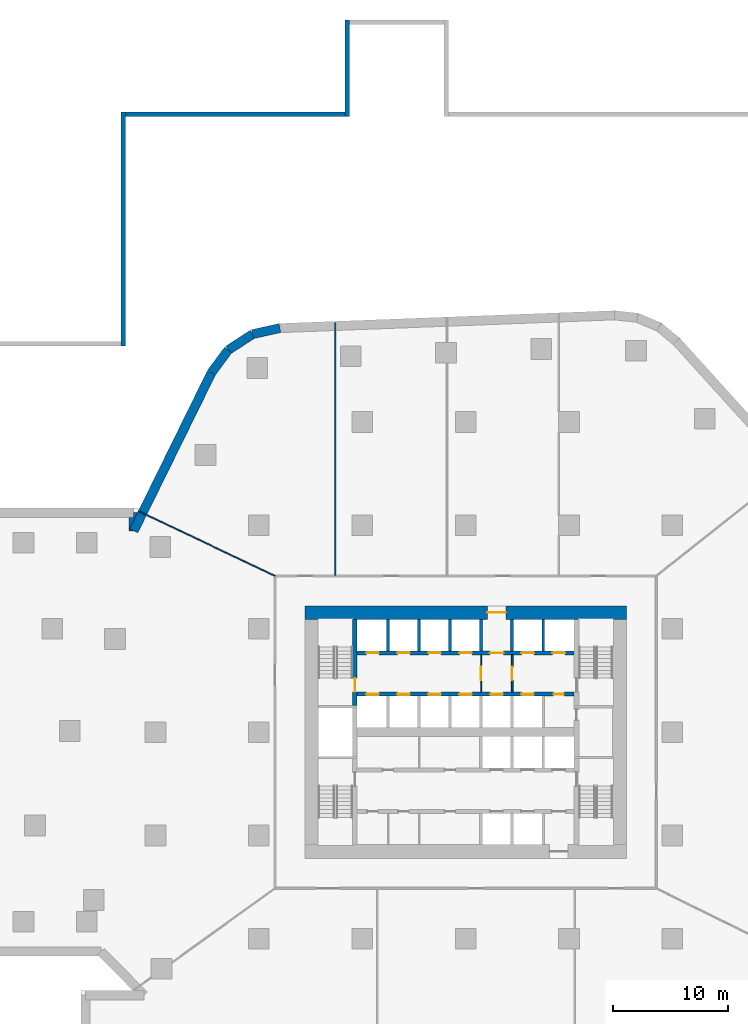
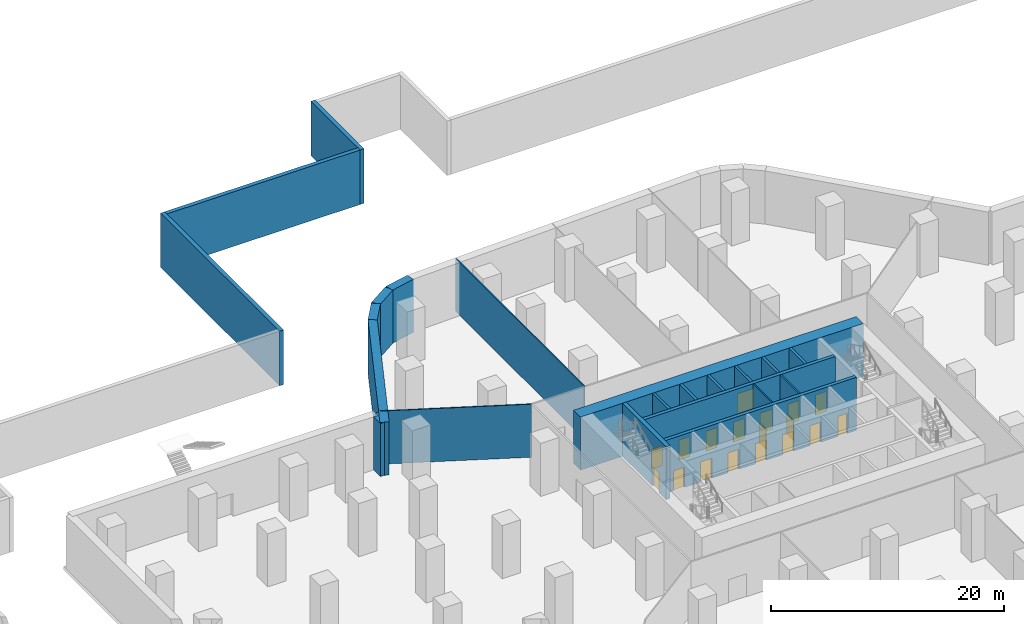
# One storey, part 7 of 11: 22 walls, 18 doors, 18 openings.
"""IFC4 building model written with IfcOpenShell, lengths in metres."""

from ifc_helpers import new_model, si_unit, direction, frame, frame_2d, origin, place, context, subcontext, project, spatial, polyline, rectangle, outline, extrude, material, layer, layer_set, type_object, element, fill, save


model = new_model("IFC4")

# Units and contexts
model_context = context("Model", 3, precision=1e-05, world=origin(), true_north=direction((0.0, 1.0)))
body_context = subcontext(model_context, "Body", "Model", "MODEL_VIEW")
ifc_project = project(units=[si_unit("LENGTHUNIT", "METRE"), si_unit("AREAUNIT", "SQUARE_METRE"), si_unit("VOLUMEUNIT", "CUBIC_METRE"), si_unit("PLANEANGLEUNIT", "RADIAN"), si_unit("MASSUNIT", "GRAM", prefix="KILO")], contexts=[model_context])

# Site, building, storey
site_placement = place(None, origin())
site = spatial("IfcSite", under=ifc_project, at=site_placement, CompositionType="ELEMENT")
building_placement = place(site_placement, origin())
building = spatial("IfcBuilding", under=site, at=building_placement, Name="Dongbaek Canopy Tower", CompositionType="ELEMENT")
storey_placement = place(building_placement, frame((0.0, 0.0, -6.0)))
storey = spatial("IfcBuildingStorey", under=building, at=storey_placement, Name="B1", CompositionType="ELEMENT", Elevation=-6.0)

# Wall, openings, doors
ifc_material_1 = material(Name="Concrete C60/75", Category="concrete")
ifc_layer_1 = layer(ifc_material_1, 0.35009765625)
ifc_layer_set_1 = layer_set([ifc_layer_1], Name="Core lobby wall 350 Concrete C60/75")
wall_type_1 = type_object("IfcWallType", Name="Core lobby wall 350 Concrete C60/75", PredefinedType="SHEAR", material=ifc_layer_set_1)
wall_1_placement = place(storey_placement, frame((-9.449951171875, 6.89990234375, 0.0), z_axis=(0.0, 0.0, 1.0), x_axis=(1.0, 0.0, 0.0)))
wall_1 = element("IfcWall", 1, at=wall_1_placement, inside=storey, type_object=wall_type_1, Name="Core wall", PredefinedType="SHEAR", context=body_context, shape_type="SweptSolid", body=[
    extrude(rectangle(XDim=18.89990234375, YDim=0.35009765625, at=frame_2d((9.449951171875, 0.0))), origin(), (0.0, 0.0, 1.0), 5.550048828125),
])
opening_1_placement = place(wall_1_placement, frame((0.800048828125, 0.0, 0.0)))
opening_1 = element("IfcOpeningElement", 2, at=opening_1_placement, cuts=wall_1, Name="Opening B1-D011", PredefinedType="OPENING", context=body_context, shape_type="SweptSolid", body=[
    extrude(rectangle(XDim=1.10009765625, YDim=2.10009765625, at=frame_2d((0.550048828125, 1.050048828125))), frame((0.0, 0.18505859375, 0.0), z_axis=(0.0, -1.0, 0.0), x_axis=(1.0, 0.0, 0.0)), (0.0, 0.0, 1.0), 0.3701171875),
])
opening_2_placement = place(wall_1_placement, frame((3.5, 0.0, 0.0)))
opening_2 = element("IfcOpeningElement", 3, at=opening_2_placement, cuts=wall_1, Name="Opening B1-D012", PredefinedType="OPENING", context=body_context, shape_type="SweptSolid", body=[
    extrude(rectangle(XDim=1.10009765625, YDim=2.10009765625, at=frame_2d((0.550048828125, 1.050048828125))), frame((0.0, 0.18505859375, 0.0), z_axis=(0.0, -1.0, 0.0), x_axis=(1.0, 0.0, 0.0)), (0.0, 0.0, 1.0), 0.3701171875),
])
opening_3_placement = place(wall_1_placement, frame((6.199951171875, 0.0, 0.0)))
opening_3 = element("IfcOpeningElement", 4, at=opening_3_placement, cuts=wall_1, Name="Opening B1-D013", PredefinedType="OPENING", context=body_context, shape_type="SweptSolid", body=[
    extrude(rectangle(XDim=1.10009765625, YDim=2.10009765625, at=frame_2d((0.550048828125, 1.050048828125))), frame((0.0, 0.18505859375, 0.0), z_axis=(0.0, -1.0, 0.0), x_axis=(1.0, 0.0, 0.0)), (0.0, 0.0, 1.0), 0.3701171875),
])
opening_4_placement = place(wall_1_placement, frame((8.89990234375, 0.0, 0.0)))
opening_4 = element("IfcOpeningElement", 5, at=opening_4_placement, cuts=wall_1, Name="Opening B1-D014", PredefinedType="OPENING", context=body_context, shape_type="SweptSolid", body=[
    extrude(rectangle(XDim=1.10009765625, YDim=2.10009765625, at=frame_2d((0.550048828125, 1.050048828125))), frame((0.0, 0.18505859375, 0.0), z_axis=(0.0, -1.0, 0.0), x_axis=(1.0, 0.0, 0.0)), (0.0, 0.0, 1.0), 0.3701171875),
])
opening_5_placement = place(wall_1_placement, frame((11.550048828125, 0.0, 0.0)))
opening_5 = element("IfcOpeningElement", 6, at=opening_5_placement, cuts=wall_1, Name="Opening B1-D016", PredefinedType="OPENING", context=body_context, shape_type="SweptSolid", body=[
    extrude(rectangle(XDim=1.199951171875, YDim=2.10009765625, at=frame_2d((0.60009765625, 1.050048828125))), frame((0.0, 0.18505859375, 0.0), z_axis=(0.0, -1.0, 0.0), x_axis=(1.0, 0.0, 0.0)), (0.0, 0.0, 1.0), 0.3701171875),
])
opening_6_placement = place(wall_1_placement, frame((14.300048828125, 0.0, 0.0)))
opening_6 = element("IfcOpeningElement", 7, at=opening_6_placement, cuts=wall_1, Name="Opening B1-D017", PredefinedType="OPENING", context=body_context, shape_type="SweptSolid", body=[
    extrude(rectangle(XDim=1.10009765625, YDim=2.10009765625, at=frame_2d((0.550048828125, 1.050048828125))), frame((0.0, 0.18505859375, 0.0), z_axis=(0.0, -1.0, 0.0), x_axis=(1.0, 0.0, 0.0)), (0.0, 0.0, 1.0), 0.3701171875),
])
opening_7_placement = place(wall_1_placement, frame((17.0, 0.0, 0.0)))
opening_7 = element("IfcOpeningElement", 8, at=opening_7_placement, cuts=wall_1, Name="Opening B1-D018", PredefinedType="OPENING", context=body_context, shape_type="SweptSolid", body=[
    extrude(rectangle(XDim=1.10009765625, YDim=2.10009765625, at=frame_2d((0.550048828125, 1.050048828125))), frame((0.0, 0.18505859375, 0.0), z_axis=(0.0, -1.0, 0.0), x_axis=(1.0, 0.0, 0.0)), (0.0, 0.0, 1.0), 0.3701171875),
])
ifc_material_2 = material(Name="Steel", Category="steel")
door_type_1 = type_object("IfcDoorType", Name="Fire lobby door 1200 x 2100", OperationType="SINGLE_SWING_LEFT", PredefinedType="DOOR", material=ifc_material_2)
door_1_placement = place(opening_5_placement, origin())
door_1 = element("IfcDoor", 9, at=door_1_placement, inside=storey, type_object=door_type_1, Name="Door B1-D016", OperationType="SINGLE_SWING_LEFT", OverallHeight=2.10009765625, OverallWidth=1.199951171875, PredefinedType="DOOR", context=body_context, shape_type="SweptSolid", body=[
    extrude(rectangle(XDim=1.199951171875, YDim=2.10009765625, at=frame_2d((0.60009765625, 1.050048828125))), frame((0.0, 0.02490234375, 0.0), z_axis=(0.0, -1.0, 0.0), x_axis=(1.0, 0.0, 0.0)), (0.0, 0.0, 1.0), 0.050048828125),
])
fill(opening_5, door_1)
ifc_material_3 = material(Name="Stainless steel", Category="steel")
door_type_2 = type_object("IfcDoorType", Name="Lift landing door 1100 x 2100", OperationType="DOUBLE_DOOR_SLIDING", PredefinedType="DOOR", material=ifc_material_3)
door_2_placement = place(opening_1_placement, origin())
door_2 = element("IfcDoor", 10, at=door_2_placement, inside=storey, type_object=door_type_2, Name="Landing door LR1", OperationType="DOUBLE_DOOR_SLIDING", OverallHeight=2.10009765625, OverallWidth=1.10009765625, PredefinedType="DOOR", context=body_context, shape_type="SweptSolid", body=[
    extrude(rectangle(XDim=1.10009765625, YDim=2.10009765625, at=frame_2d((0.550048828125, 1.050048828125))), frame((0.0, 0.02490234375, 0.0), z_axis=(0.0, -1.0, 0.0), x_axis=(1.0, 0.0, 0.0)), (0.0, 0.0, 1.0), 0.050048828125),
])
fill(opening_1, door_2)
door_3_placement = place(opening_2_placement, origin())
door_3 = element("IfcDoor", 11, at=door_3_placement, inside=storey, type_object=door_type_2, Name="Landing door LR2", OperationType="DOUBLE_DOOR_SLIDING", OverallHeight=2.10009765625, OverallWidth=1.10009765625, PredefinedType="DOOR", context=body_context, shape_type="SweptSolid", body=[
    extrude(rectangle(XDim=1.10009765625, YDim=2.10009765625, at=frame_2d((0.550048828125, 1.050048828125))), frame((0.0, 0.02490234375, 0.0), z_axis=(0.0, -1.0, 0.0), x_axis=(1.0, 0.0, 0.0)), (0.0, 0.0, 1.0), 0.050048828125),
])
fill(opening_2, door_3)
door_4_placement = place(opening_3_placement, origin())
door_4 = element("IfcDoor", 12, at=door_4_placement, inside=storey, type_object=door_type_2, Name="Landing door LR3", OperationType="DOUBLE_DOOR_SLIDING", OverallHeight=2.10009765625, OverallWidth=1.10009765625, PredefinedType="DOOR", context=body_context, shape_type="SweptSolid", body=[
    extrude(rectangle(XDim=1.10009765625, YDim=2.10009765625, at=frame_2d((0.550048828125, 1.050048828125))), frame((0.0, 0.02490234375, 0.0), z_axis=(0.0, -1.0, 0.0), x_axis=(1.0, 0.0, 0.0)), (0.0, 0.0, 1.0), 0.050048828125),
])
fill(opening_3, door_4)
door_5_placement = place(opening_4_placement, origin())
door_5 = element("IfcDoor", 13, at=door_5_placement, inside=storey, type_object=door_type_2, Name="Landing door LR4", OperationType="DOUBLE_DOOR_SLIDING", OverallHeight=2.10009765625, OverallWidth=1.10009765625, PredefinedType="DOOR", context=body_context, shape_type="SweptSolid", body=[
    extrude(rectangle(XDim=1.10009765625, YDim=2.10009765625, at=frame_2d((0.550048828125, 1.050048828125))), frame((0.0, 0.02490234375, 0.0), z_axis=(0.0, -1.0, 0.0), x_axis=(1.0, 0.0, 0.0)), (0.0, 0.0, 1.0), 0.050048828125),
])
fill(opening_4, door_5)
door_6_placement = place(opening_6_placement, origin())
door_6 = element("IfcDoor", 14, at=door_6_placement, inside=storey, type_object=door_type_2, Name="Landing door FF1", OperationType="DOUBLE_DOOR_SLIDING", OverallHeight=2.10009765625, OverallWidth=1.10009765625, PredefinedType="DOOR", context=body_context, shape_type="SweptSolid", body=[
    extrude(rectangle(XDim=1.10009765625, YDim=2.10009765625, at=frame_2d((0.550048828125, 1.050048828125))), frame((0.0, 0.02490234375, 0.0), z_axis=(0.0, -1.0, 0.0), x_axis=(1.0, 0.0, 0.0)), (0.0, 0.0, 1.0), 0.050048828125),
])
fill(opening_6, door_6)
door_7_placement = place(opening_7_placement, origin())
door_7 = element("IfcDoor", 15, at=door_7_placement, inside=storey, type_object=door_type_2, Name="Landing door FF2", OperationType="DOUBLE_DOOR_SLIDING", OverallHeight=2.10009765625, OverallWidth=1.10009765625, PredefinedType="DOOR", context=body_context, shape_type="SweptSolid", body=[
    extrude(rectangle(XDim=1.10009765625, YDim=2.10009765625, at=frame_2d((0.550048828125, 1.050048828125))), frame((0.0, 0.02490234375, 0.0), z_axis=(0.0, -1.0, 0.0), x_axis=(1.0, 0.0, 0.0)), (0.0, 0.0, 1.0), 0.050048828125),
])
fill(opening_7, door_7)

wall_2_placement = place(storey_placement, frame((9.449951171875, 3.300048828125, 0.0), z_axis=(0.0, 0.0, 1.0), x_axis=(-1.0, 0.0, 0.0)))
wall_2 = element("IfcWall", 16, at=wall_2_placement, inside=storey, type_object=wall_type_1, Name="Core wall", PredefinedType="SHEAR", context=body_context, shape_type="SweptSolid", body=[
    extrude(rectangle(XDim=18.89990234375, YDim=0.35009765625, at=frame_2d((9.449951171875, 0.0))), origin(), (0.0, 0.0, 1.0), 5.550048828125),
])
opening_8_placement = place(wall_2_placement, frame((17.0, 0.0, 0.0)))
opening_8 = element("IfcOpeningElement", 17, at=opening_8_placement, cuts=wall_2, Name="Opening B1-D019", PredefinedType="OPENING", context=body_context, shape_type="SweptSolid", body=[
    extrude(rectangle(XDim=1.10009765625, YDim=2.10009765625, at=frame_2d((0.550048828125, 1.050048828125))), frame((0.0, 0.18505859375, 0.0), z_axis=(0.0, -1.0, 0.0), x_axis=(1.0, 0.0, 0.0)), (0.0, 0.0, 1.0), 0.3701171875),
])
opening_9_placement = place(wall_2_placement, frame((14.300048828125, 0.0, 0.0)))
opening_9 = element("IfcOpeningElement", 18, at=opening_9_placement, cuts=wall_2, Name="Opening B1-D020", PredefinedType="OPENING", context=body_context, shape_type="SweptSolid", body=[
    extrude(rectangle(XDim=1.10009765625, YDim=2.10009765625, at=frame_2d((0.550048828125, 1.050048828125))), frame((0.0, 0.18505859375, 0.0), z_axis=(0.0, -1.0, 0.0), x_axis=(1.0, 0.0, 0.0)), (0.0, 0.0, 1.0), 0.3701171875),
])
opening_10_placement = place(wall_2_placement, frame((11.60009765625, 0.0, 0.0)))
opening_10 = element("IfcOpeningElement", 19, at=opening_10_placement, cuts=wall_2, Name="Opening B1-D021", PredefinedType="OPENING", context=body_context, shape_type="SweptSolid", body=[
    extrude(rectangle(XDim=1.10009765625, YDim=2.10009765625, at=frame_2d((0.550048828125, 1.050048828125))), frame((0.0, 0.18505859375, 0.0), z_axis=(0.0, -1.0, 0.0), x_axis=(1.0, 0.0, 0.0)), (0.0, 0.0, 1.0), 0.3701171875),
])
opening_11_placement = place(wall_2_placement, frame((8.89990234375, 0.0, 0.0)))
opening_11 = element("IfcOpeningElement", 20, at=opening_11_placement, cuts=wall_2, Name="Opening B1-D022", PredefinedType="OPENING", context=body_context, shape_type="SweptSolid", body=[
    extrude(rectangle(XDim=1.10009765625, YDim=2.10009765625, at=frame_2d((0.550048828125, 1.050048828125))), frame((0.0, 0.18505859375, 0.0), z_axis=(0.0, -1.0, 0.0), x_axis=(1.0, 0.0, 0.0)), (0.0, 0.0, 1.0), 0.3701171875),
])
opening_12_placement = place(wall_2_placement, frame((6.199951171875, 0.0, 0.0)))
opening_12 = element("IfcOpeningElement", 21, at=opening_12_placement, cuts=wall_2, Name="Opening B1-D023", PredefinedType="OPENING", context=body_context, shape_type="SweptSolid", body=[
    extrude(rectangle(XDim=1.10009765625, YDim=2.10009765625, at=frame_2d((0.550048828125, 1.050048828125))), frame((0.0, 0.18505859375, 0.0), z_axis=(0.0, -1.0, 0.0), x_axis=(1.0, 0.0, 0.0)), (0.0, 0.0, 1.0), 0.3701171875),
])
opening_13_placement = place(wall_2_placement, frame((3.5, 0.0, 0.0)))
opening_13 = element("IfcOpeningElement", 22, at=opening_13_placement, cuts=wall_2, Name="Opening B1-D024", PredefinedType="OPENING", context=body_context, shape_type="SweptSolid", body=[
    extrude(rectangle(XDim=1.10009765625, YDim=2.10009765625, at=frame_2d((0.550048828125, 1.050048828125))), frame((0.0, 0.18505859375, 0.0), z_axis=(0.0, -1.0, 0.0), x_axis=(1.0, 0.0, 0.0)), (0.0, 0.0, 1.0), 0.3701171875),
])
opening_14_placement = place(wall_2_placement, frame((0.89990234375, 0.0, 0.0)))
opening_14 = element("IfcOpeningElement", 23, at=opening_14_placement, cuts=wall_2, Name="Opening B1-D025", PredefinedType="OPENING", context=body_context, shape_type="SweptSolid", body=[
    extrude(rectangle(XDim=0.89990234375, YDim=2.10009765625, at=frame_2d((0.449951171875, 1.050048828125))), frame((0.0, 0.18505859375, 0.0), z_axis=(0.0, -1.0, 0.0), x_axis=(1.0, 0.0, 0.0)), (0.0, 0.0, 1.0), 0.3701171875),
])
ifc_material_4 = material(Name="Steel", Category="steel")
door_type_3 = type_object("IfcDoorType", Name="Core room door 900 x 2100", OperationType="SINGLE_SWING_LEFT", PredefinedType="DOOR", material=ifc_material_4)
door_8_placement = place(opening_14_placement, origin())
door_8 = element("IfcDoor", 24, at=door_8_placement, inside=storey, type_object=door_type_3, Name="Door B1-D025", OperationType="SINGLE_SWING_LEFT", OverallHeight=2.10009765625, OverallWidth=0.89990234375, PredefinedType="DOOR", context=body_context, shape_type="SweptSolid", body=[
    extrude(rectangle(XDim=0.89990234375, YDim=2.10009765625, at=frame_2d((0.449951171875, 1.050048828125))), frame((0.0, 0.02490234375, 0.0), z_axis=(0.0, -1.0, 0.0), x_axis=(1.0, 0.0, 0.0)), (0.0, 0.0, 1.0), 0.050048828125),
])
fill(opening_14, door_8)
door_9_placement = place(opening_8_placement, origin())
door_9 = element("IfcDoor", 25, at=door_9_placement, inside=storey, type_object=door_type_2, Name="Landing door LR5", OperationType="DOUBLE_DOOR_SLIDING", OverallHeight=2.10009765625, OverallWidth=1.10009765625, PredefinedType="DOOR", context=body_context, shape_type="SweptSolid", body=[
    extrude(rectangle(XDim=1.10009765625, YDim=2.10009765625, at=frame_2d((0.550048828125, 1.050048828125))), frame((0.0, 0.02490234375, 0.0), z_axis=(0.0, -1.0, 0.0), x_axis=(1.0, 0.0, 0.0)), (0.0, 0.0, 1.0), 0.050048828125),
])
fill(opening_8, door_9)
door_10_placement = place(opening_9_placement, origin())
door_10 = element("IfcDoor", 26, at=door_10_placement, inside=storey, type_object=door_type_2, Name="Landing door LR6", OperationType="DOUBLE_DOOR_SLIDING", OverallHeight=2.10009765625, OverallWidth=1.10009765625, PredefinedType="DOOR", context=body_context, shape_type="SweptSolid", body=[
    extrude(rectangle(XDim=1.10009765625, YDim=2.10009765625, at=frame_2d((0.550048828125, 1.050048828125))), frame((0.0, 0.02490234375, 0.0), z_axis=(0.0, -1.0, 0.0), x_axis=(1.0, 0.0, 0.0)), (0.0, 0.0, 1.0), 0.050048828125),
])
fill(opening_9, door_10)
door_11_placement = place(opening_10_placement, origin())
door_11 = element("IfcDoor", 27, at=door_11_placement, inside=storey, type_object=door_type_2, Name="Landing door LR7", OperationType="DOUBLE_DOOR_SLIDING", OverallHeight=2.10009765625, OverallWidth=1.10009765625, PredefinedType="DOOR", context=body_context, shape_type="SweptSolid", body=[
    extrude(rectangle(XDim=1.10009765625, YDim=2.10009765625, at=frame_2d((0.550048828125, 1.050048828125))), frame((0.0, 0.02490234375, 0.0), z_axis=(0.0, -1.0, 0.0), x_axis=(1.0, 0.0, 0.0)), (0.0, 0.0, 1.0), 0.050048828125),
])
fill(opening_10, door_11)
door_12_placement = place(opening_11_placement, origin())
door_12 = element("IfcDoor", 28, at=door_12_placement, inside=storey, type_object=door_type_2, Name="Landing door LR8", OperationType="DOUBLE_DOOR_SLIDING", OverallHeight=2.10009765625, OverallWidth=1.10009765625, PredefinedType="DOOR", context=body_context, shape_type="SweptSolid", body=[
    extrude(rectangle(XDim=1.10009765625, YDim=2.10009765625, at=frame_2d((0.550048828125, 1.050048828125))), frame((0.0, 0.02490234375, 0.0), z_axis=(0.0, -1.0, 0.0), x_axis=(1.0, 0.0, 0.0)), (0.0, 0.0, 1.0), 0.050048828125),
])
fill(opening_11, door_12)
door_13_placement = place(opening_12_placement, origin())
door_13 = element("IfcDoor", 29, at=door_13_placement, inside=storey, type_object=door_type_2, Name="Landing door SV1", OperationType="DOUBLE_DOOR_SLIDING", OverallHeight=2.10009765625, OverallWidth=1.10009765625, PredefinedType="DOOR", context=body_context, shape_type="SweptSolid", body=[
    extrude(rectangle(XDim=1.10009765625, YDim=2.10009765625, at=frame_2d((0.550048828125, 1.050048828125))), frame((0.0, 0.02490234375, 0.0), z_axis=(0.0, -1.0, 0.0), x_axis=(1.0, 0.0, 0.0)), (0.0, 0.0, 1.0), 0.050048828125),
])
fill(opening_12, door_13)
door_14_placement = place(opening_13_placement, origin())
door_14 = element("IfcDoor", 30, at=door_14_placement, inside=storey, type_object=door_type_2, Name="Landing door FF3", OperationType="DOUBLE_DOOR_SLIDING", OverallHeight=2.10009765625, OverallWidth=1.10009765625, PredefinedType="DOOR", context=body_context, shape_type="SweptSolid", body=[
    extrude(rectangle(XDim=1.10009765625, YDim=2.10009765625, at=frame_2d((0.550048828125, 1.050048828125))), frame((0.0, 0.02490234375, 0.0), z_axis=(0.0, -1.0, 0.0), x_axis=(1.0, 0.0, 0.0)), (0.0, 0.0, 1.0), 0.050048828125),
])
fill(opening_13, door_14)

# Wall, opening, door
ifc_material_5 = material(Name="Concrete C60/75", Category="concrete")
ifc_layer_2 = layer(ifc_material_5, 1.199951171875)
ifc_layer_set_2 = layer_set([ifc_layer_2], Name="Core outer wall 1200 Concrete C60/75")
wall_type_2 = type_object("IfcWallType", Name="Core outer wall 1200 Concrete C60/75", PredefinedType="SHEAR", material=ifc_layer_set_2)
wall_3_placement = place(storey_placement, frame((-14.0, 10.39990234375, 0.0), z_axis=(0.0, 0.0, 1.0), x_axis=(1.0, 0.0, 0.0)))
wall_3 = element("IfcWall", 31, at=wall_3_placement, inside=storey, type_object=wall_type_2, Name="Core wall", PredefinedType="SHEAR", context=body_context, shape_type="SweptSolid", body=[
    extrude(rectangle(XDim=28.0, YDim=1.199951171875, at=frame_2d((14.0, 0.0))), origin(), (0.0, 0.0, 1.0), 5.550048828125),
])
opening_15_placement = place(wall_3_placement, frame((15.89990234375, 0.0, 0.0)))
opening_15 = element("IfcOpeningElement", 32, at=opening_15_placement, cuts=wall_3, Name="Opening B1-D015", PredefinedType="OPENING", context=body_context, shape_type="SweptSolid", body=[
    extrude(rectangle(XDim=1.60009765625, YDim=2.10009765625, at=frame_2d((0.800048828125, 1.050048828125))), frame((0.0, 0.60986328125, 0.0), z_axis=(0.0, -1.0, 0.0), x_axis=(1.0, 0.0, 0.0)), (0.0, 0.0, 1.0), 1.219970703125),
])
ifc_material_6 = material(Name="Steel", Category="steel")
door_type_4 = type_object("IfcDoorType", Name="Core exit door 1600 x 2100", OperationType="DOUBLE_DOOR_SINGLE_SWING", PredefinedType="DOOR", material=ifc_material_6)
door_15_placement = place(opening_15_placement, origin())
door_15 = element("IfcDoor", 33, at=door_15_placement, inside=storey, type_object=door_type_4, Name="Core exit door", OperationType="DOUBLE_DOOR_SINGLE_SWING", OverallHeight=2.10009765625, OverallWidth=1.60009765625, PredefinedType="DOOR", context=body_context, shape_type="SweptSolid", body=[
    extrude(rectangle(XDim=1.60009765625, YDim=2.10009765625, at=frame_2d((0.800048828125, 1.050048828125))), frame((0.0, 0.02490234375, 0.0), z_axis=(0.0, -1.0, 0.0), x_axis=(1.0, 0.0, 0.0)), (0.0, 0.0, 1.0), 0.050048828125),
])
fill(opening_15, door_15)

ifc_material_7 = material(Name="Gypsum board partition, steel stud, 2 x 15 mm fire board", Category="steel")
ifc_layer_3 = layer(ifc_material_7, 0.14990234375)
ifc_layer_set_3 = layer_set([ifc_layer_3], Name="Fire-rated partition 150 gypsum board")
wall_type_3 = type_object("IfcWallType", Name="Fire-rated partition 150 gypsum board", PredefinedType="PARTITIONING", material=ifc_layer_set_3)
wall_4_placement = place(storey_placement, frame((4.050048828125, 6.72509765625, 0.0), z_axis=(0.0, 0.0, 1.0), x_axis=(0.0, -1.0, 0.0)))
wall_4 = element("IfcWall", 34, at=wall_4_placement, inside=storey, type_object=wall_type_3, Name="Fire lobby partition", PredefinedType="PARTITIONING", context=body_context, shape_type="SweptSolid", body=[
    extrude(rectangle(XDim=3.25, YDim=0.14990234375, at=frame_2d((1.625, 0.0))), origin(), (0.0, 0.0, 1.0), 5.550048828125),
])
opening_16_placement = place(wall_4_placement, frame((1.02490234375, 0.0, 0.0)))
opening_16 = element("IfcOpeningElement", 35, at=opening_16_placement, cuts=wall_4, Name="Opening B1-D043", PredefinedType="OPENING", context=body_context, shape_type="SweptSolid", body=[
    extrude(rectangle(XDim=1.199951171875, YDim=2.10009765625, at=frame_2d((0.60009765625, 1.050048828125))), frame((0.0, 0.0849609375, 0.0), z_axis=(0.0, -1.0, 0.0), x_axis=(1.0, 0.0, 0.0)), (0.0, 0.0, 1.0), 0.169921875),
])
door_16_placement = place(opening_16_placement, origin())
door_16 = element("IfcDoor", 36, at=door_16_placement, inside=storey, type_object=door_type_1, Name="Door B1-D043", OperationType="SINGLE_SWING_RIGHT", OverallHeight=2.10009765625, OverallWidth=1.199951171875, PredefinedType="DOOR", context=body_context, shape_type="SweptSolid", body=[
    extrude(rectangle(XDim=1.199951171875, YDim=2.10009765625, at=frame_2d((0.60009765625, 1.050048828125))), frame((0.0, 0.02490234375, 0.0), z_axis=(0.0, -1.0, 0.0), x_axis=(1.0, 0.0, 0.0)), (0.0, 0.0, 1.0), 0.050048828125),
])
fill(opening_16, door_16)

# Walls
ifc_material_8 = material(Name="Concrete C40/50", Category="concrete")
ifc_layer_4 = layer(ifc_material_8, 0.25)
ifc_layer_set_4 = layer_set([ifc_layer_4], Name="Lift shaft wall 250 Concrete C40/50")
wall_type_4 = type_object("IfcWallType", Name="Lift shaft wall 250 Concrete C40/50", PredefinedType="SOLIDWALL", material=ifc_layer_set_4)
for number, where, z_axis, x_axis, name in (
    (37, (6.75, 7.074951171875, 0.0), (0.0, 0.0, 1.0), (0.0, 1.0, 0.0), "Lift shaft wall"),
    (38, (4.050048828125, 7.074951171875, 0.0), (0.0, 0.0, 1.0), (0.0, 1.0, 0.0), "Lift shaft wall"),
    (39, (1.35009765625, 7.074951171875, 0.0), (0.0, 0.0, 1.0), (0.0, 1.0, 0.0), "Lift shaft wall"),
    (40, (-1.35009765625, 7.074951171875, 0.0), (0.0, 0.0, 1.0), (0.0, 1.0, 0.0), "Lift shaft wall"),
    (41, (-4.050048828125, 7.074951171875, 0.0), (0.0, 0.0, 1.0), (0.0, 1.0, 0.0), "Lift shaft wall"),
    (42, (-6.75, 7.074951171875, 0.0), (0.0, 0.0, 1.0), (0.0, 1.0, 0.0), "Lift shaft wall"),
):
    element("IfcWall", number, at=place(storey_placement, frame(where, z_axis=z_axis, x_axis=x_axis)), inside=storey, type_object=wall_type_4, Name=name, PredefinedType="SOLIDWALL", context=body_context, shape_type="SweptSolid", body=[
        extrude(rectangle(XDim=2.72509765625, YDim=0.25, at=frame_2d((1.362548828125, 0.0))), origin(), (0.0, 0.0, 1.0), 5.550048828125),
    ])
ifc_material_9 = material(Name="Gypsum board partition, steel stud, 2 x 12.5 mm board", Category="steel")
ifc_layer_5 = layer(ifc_material_9, 0.10009765625)
ifc_layer_set_5 = layer_set([ifc_layer_5], Name="Partition 100 gypsum board")
wall_type_5 = type_object("IfcWallType", Name="Partition 100 gypsum board", PredefinedType="PARTITIONING", material=ifc_layer_set_5)
wall_5_placement = place(storey_placement, frame((-11.35205078125, 13.675048828125, 0.0), z_axis=(0.0, 0.0, 1.0), x_axis=(0.0, 1.0, 0.0)))
element("IfcWall", 43, at=wall_5_placement, inside=storey, type_object=wall_type_5, Name="Partition", PredefinedType="PARTITIONING", context=body_context, shape_type="SweptSolid", body=[
    extrude(rectangle(XDim=21.9697265625, YDim=0.10009765625, at=frame_2d((10.98486328125, 0.0))), origin(), (0.0, 0.0, 1.0), 5.550048828125),
])
wall_6_placement = place(storey_placement, frame((-28.3916015625, 19.2001953125, 0.0), z_axis=(0.0, 0.0, 1.0), x_axis=(0.903331859358, -0.428942364273, 0.0)))
element("IfcWall", 44, at=wall_6_placement, inside=storey, type_object=wall_type_5, Name="Partition", PredefinedType="PARTITIONING", context=body_context, shape_type="SweptSolid", body=[
    extrude(rectangle(XDim=13.053955078125, YDim=0.10009765625, at=frame_2d((6.52685546875, 0.0))), origin(), (0.0, 0.0, 1.0), 5.550048828125),
])

# Wall, opening, door
wall_7_placement = place(storey_placement, frame((1.35009765625, 6.72509765625, 0.0), z_axis=(0.0, 0.0, 1.0), x_axis=(0.0, -1.0, 0.0)))
wall_7 = element("IfcWall", 45, at=wall_7_placement, inside=storey, type_object=wall_type_5, Name="Core partition", PredefinedType="PARTITIONING", context=body_context, shape_type="SweptSolid", body=[
    extrude(rectangle(XDim=3.25, YDim=0.10009765625, at=frame_2d((1.625, 0.0))), origin(), (0.0, 0.0, 1.0), 5.550048828125),
])
opening_17_placement = place(wall_7_placement, frame((1.02490234375, 0.0, 0.0)))
opening_17 = element("IfcOpeningElement", 46, at=opening_17_placement, cuts=wall_7, Name="Opening B1-D042", PredefinedType="OPENING", context=body_context, shape_type="SweptSolid", body=[
    extrude(rectangle(XDim=1.199951171875, YDim=2.10009765625, at=frame_2d((0.60009765625, 1.050048828125))), frame((0.0, 0.06005859375, 0.0), z_axis=(0.0, -1.0, 0.0), x_axis=(1.0, 0.0, 0.0)), (0.0, 0.0, 1.0), 0.1201171875),
])
door_17_placement = place(opening_17_placement, origin())
door_17 = element("IfcDoor", 47, at=door_17_placement, inside=storey, type_object=door_type_1, Name="Door B1-D042", OperationType="SINGLE_SWING_LEFT", OverallHeight=2.10009765625, OverallWidth=1.199951171875, PredefinedType="DOOR", context=body_context, shape_type="SweptSolid", body=[
    extrude(rectangle(XDim=1.199951171875, YDim=2.10009765625, at=frame_2d((0.60009765625, 1.050048828125))), frame((0.0, 0.02490234375, 0.0), z_axis=(0.0, -1.0, 0.0), x_axis=(1.0, 0.0, 0.0)), (0.0, 0.0, 1.0), 0.050048828125),
])
fill(opening_17, door_17)

# Walls
ifc_material_10 = material(Name="Concrete C40/50", Category="concrete")
ifc_layer_6 = layer(ifc_material_10, 0.39990234375)
ifc_layer_set_6 = layer_set([ifc_layer_6], Name="Plaza plinth wall 400")
wall_type_6 = type_object("IfcWallType", Name="Plaza plinth wall 400", PredefinedType="SOLIDWALL", material=ifc_layer_set_6)
wall_8_placement = place(storey_placement, frame((-29.800048828125, 33.60009765625, 0.0), z_axis=(0.0, 0.0, 1.0), x_axis=(0.0, 1.0, 0.0)))
element("IfcWall", 48, at=wall_8_placement, inside=storey, type_object=wall_type_6, Name="Plaza plinth wall 21", PredefinedType="SOLIDWALL", context=body_context, shape_type="SweptSolid", body=[
    extrude(rectangle(XDim=20.39990234375, YDim=0.39990234375, at=frame_2d((10.199951171875, 0.0))), origin(), (0.0, 0.0, 1.0), 5.699951171875),
])
wall_9_placement = place(storey_placement, frame((-29.60009765625, 53.800048828125, 0.0), z_axis=(0.0, 0.0, 1.0), x_axis=(1.0, 0.0, 0.0)))
element("IfcWall", 49, at=wall_9_placement, inside=storey, type_object=wall_type_6, Name="Plaza plinth wall 22", PredefinedType="SOLIDWALL", context=body_context, shape_type="SweptSolid", body=[
    extrude(rectangle(XDim=19.10009765625, YDim=0.39990234375, at=frame_2d((9.550048828125, 0.0))), origin(), (0.0, 0.0, 1.0), 5.699951171875),
])
wall_10_placement = place(storey_placement, frame((-10.300048828125, 53.60009765625, 0.0), z_axis=(0.0, 0.0, 1.0), x_axis=(0.0, 1.0, 0.0)))
element("IfcWall", 50, at=wall_10_placement, inside=storey, type_object=wall_type_6, Name="Plaza plinth wall 24", PredefinedType="SOLIDWALL", context=body_context, shape_type="SweptSolid", body=[
    extrude(rectangle(XDim=8.39990234375, YDim=0.39990234375, at=frame_2d((4.199951171875, 0.0))), origin(), (0.0, 0.0, 1.0), 5.699951171875),
])
ifc_material_11 = material(Name="Concrete C40", Category="concrete")
ifc_layer_7 = layer(ifc_material_11, 0.800048828125)
ifc_layer_set_7 = layer_set([ifc_layer_7], Name="RC RETAINING WALL 800 Concrete C40")
wall_type_7 = type_object("IfcWallType", Name="RC RETAINING WALL 800 Concrete C40", PredefinedType="SHEAR", material=ifc_layer_set_7)
wall_11_placement = place(storey_placement, origin())
element("IfcWall", 51, at=wall_11_placement, inside=storey, type_object=wall_type_7, Name="RWALL:B1:06", PredefinedType="SHEAR", context=body_context, shape_type="SweptSolid", body=[
    extrude(outline(polyline([(-29.300048828125, 17.53173828125), (-28.89990234375, 17.53173828125), (-29.2587890625, 17.708251953125), (-28.574462890625, 19.10009765625), (-28.89990234375, 19.10009765625), (-28.89990234375, 18.699951171875), (-29.300048828125, 18.699951171875), (-29.300048828125, 17.53173828125)])), origin(), (0.0, 0.0, 1.0), 5.550048828125),
])
wall_12_placement = place(storey_placement, frame((-28.89990234375, 17.53173828125, 0.0), z_axis=(0.0, 0.0, 1.0), x_axis=(0.44134064225, 0.897339644448, 0.0)))
element("IfcWall", 52, at=wall_12_placement, inside=storey, type_object=wall_type_7, Name="RWALL:B1:07", PredefinedType="SHEAR", context=body_context, shape_type="SweptSolid", body=[
    extrude(rectangle(XDim=15.356201171875, YDim=0.800048828125, at=frame_2d((7.67822265625, 0.0))), origin(), (0.0, 0.0, 1.0), 5.550048828125),
])
wall_13_placement = place(storey_placement, frame((-22.12255859375, 31.3115234375, 0.0), z_axis=(0.0, 0.0, 1.0), x_axis=(0.594199556296, 0.80431765323, 0.0)))
element("IfcWall", 53, at=wall_13_placement, inside=storey, type_object=wall_type_7, Name="RWALL:B1:08", PredefinedType="SHEAR", context=body_context, shape_type="SweptSolid", body=[
    extrude(rectangle(XDim=2.437744140625, YDim=0.800048828125, at=frame_2d((1.21875, 0.0))), origin(), (0.0, 0.0, 1.0), 5.550048828125),
])
wall_14_placement = place(storey_placement, frame((-20.674072265625, 33.272216796875, 0.0), z_axis=(0.0, 0.0, 1.0), x_axis=(0.838722623466, 0.544558868155, 0.0)))
element("IfcWall", 54, at=wall_14_placement, inside=storey, type_object=wall_type_7, Name="RWALL:B1:09", PredefinedType="SHEAR", context=body_context, shape_type="SweptSolid", body=[
    extrude(rectangle(XDim=2.5380859375, YDim=0.800048828125, at=frame_2d((1.26904296875, 0.0))), origin(), (0.0, 0.0, 1.0), 5.550048828125),
])
wall_15_placement = place(storey_placement, frame((-18.54541015625, 34.654296875, 0.0), z_axis=(0.0, 0.0, 1.0), x_axis=(0.976429182158, 0.215838023136, 0.0)))
element("IfcWall", 55, at=wall_15_placement, inside=storey, type_object=wall_type_7, Name="RWALL:B1:10", PredefinedType="SHEAR", context=body_context, shape_type="SweptSolid", body=[
    extrude(rectangle(XDim=2.4375, YDim=0.800048828125, at=frame_2d((1.21875, 0.0))), origin(), (0.0, 0.0, 1.0), 5.550048828125),
])

# Wall, opening, door
ifc_material_12 = material(Name="Concrete C60/75", Category="concrete")
ifc_layer_8 = layer(ifc_material_12, 0.39990234375)
ifc_layer_set_8 = layer_set([ifc_layer_8], Name="Stair wall 400 Concrete C60/75")
wall_type_8 = type_object("IfcWallType", Name="Stair wall 400 Concrete C60/75", PredefinedType="SHEAR", material=ifc_layer_set_8)
wall_16_placement = place(storey_placement, frame((-9.64990234375, 2.300048828125, 0.0), z_axis=(0.0, 0.0, 1.0), x_axis=(0.0, 1.0, 0.0)))
wall_16 = element("IfcWall", 56, at=wall_16_placement, inside=storey, type_object=wall_type_8, Name="Stair wall", PredefinedType="SHEAR", context=body_context, shape_type="SweptSolid", body=[
    extrude(rectangle(XDim=7.5, YDim=0.39990234375, at=frame_2d((3.75, 0.0))), origin(), (0.0, 0.0, 1.0), 5.550048828125),
])
opening_18_placement = place(wall_16_placement, frame((1.199951171875, 0.0, 0.0)))
opening_18 = element("IfcOpeningElement", 57, at=opening_18_placement, cuts=wall_16, Name="Opening B1-D039", PredefinedType="OPENING", context=body_context, shape_type="SweptSolid", body=[
    extrude(rectangle(XDim=1.199951171875, YDim=2.10009765625, at=frame_2d((0.60009765625, 1.050048828125))), frame((0.0, 0.2099609375, 0.0), z_axis=(0.0, -1.0, 0.0), x_axis=(1.0, 0.0, 0.0)), (0.0, 0.0, 1.0), 0.419921875),
])
ifc_material_13 = material(Name="Steel", Category="steel")
door_type_5 = type_object("IfcDoorType", Name="Stair door 1200 x 2100", OperationType="SINGLE_SWING_LEFT", PredefinedType="DOOR", material=ifc_material_13)
door_18_placement = place(opening_18_placement, origin())
door_18 = element("IfcDoor", 58, at=door_18_placement, inside=storey, type_object=door_type_5, Name="Stair C door", OperationType="SINGLE_SWING_RIGHT", OverallHeight=2.10009765625, OverallWidth=1.199951171875, PredefinedType="DOOR", context=body_context, shape_type="SweptSolid", body=[
    extrude(rectangle(XDim=1.199951171875, YDim=2.10009765625, at=frame_2d((0.60009765625, 1.050048828125))), frame((0.0, 0.02490234375, 0.0), z_axis=(0.0, -1.0, 0.0), x_axis=(1.0, 0.0, 0.0)), (0.0, 0.0, 1.0), 0.050048828125),
])
fill(opening_18, door_18)

save(model, "model.ifc")
